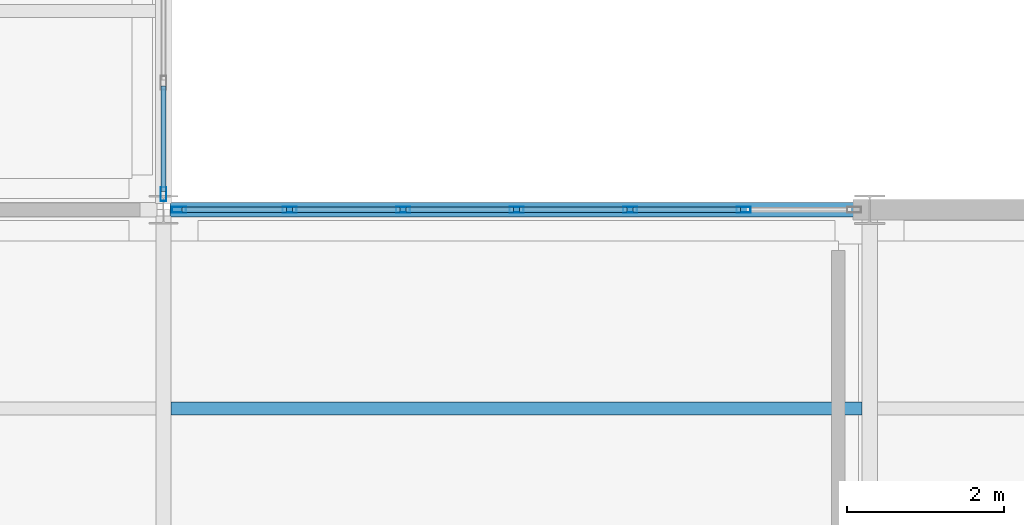
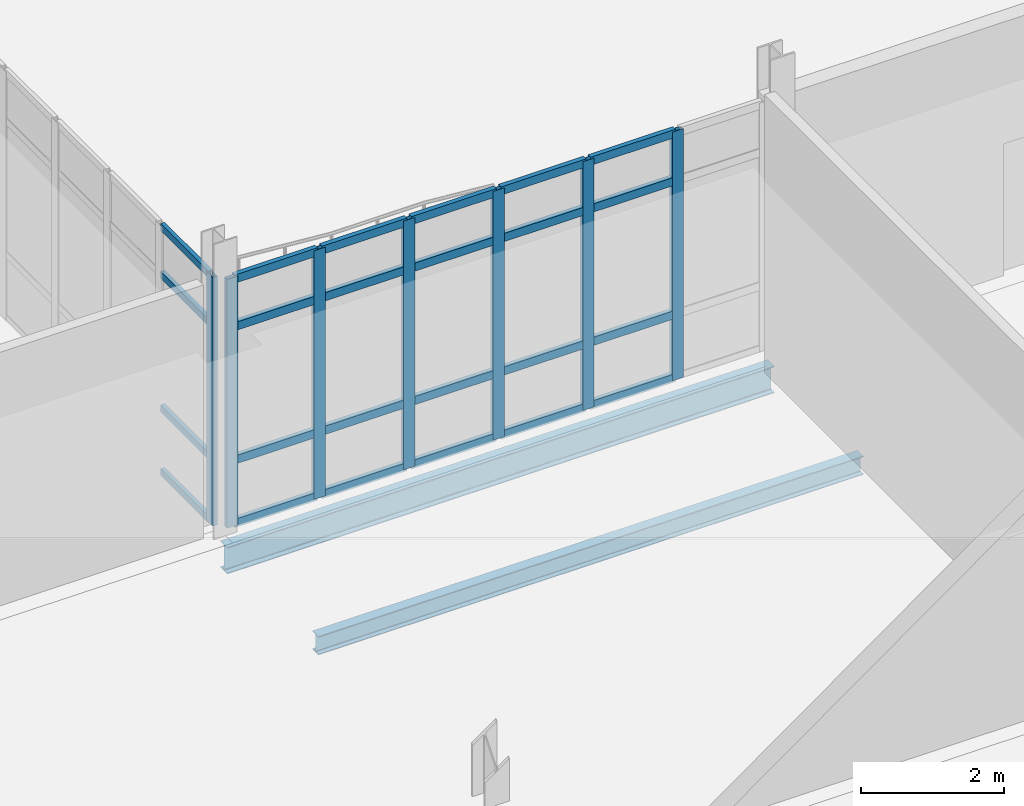
# One storey, part 55 of 161: 31 members, 2 beams, 2 elements without a shape of their own.
"""IFC4 building model written with IfcOpenShell, lengths in metres."""

from ifc_helpers import new_model, si_unit, direction, frame, origin, origin_2d, place, context, subcontext, project, spatial, hollow_rectangle, i_section, extrude, material, material_profile, profile_set, type_object, element, aggregate, save


model = new_model("IFC4")

# Units and contexts
model_context = context("Model", 3, precision=1e-05, world=origin(), true_north=direction((0.0, 1.0)))
body_context = subcontext(model_context, "Body", "Model", "MODEL_VIEW")
ifc_project = project(units=[si_unit("LENGTHUNIT", "METRE"), si_unit("AREAUNIT", "SQUARE_METRE"), si_unit("VOLUMEUNIT", "CUBIC_METRE"), si_unit("PLANEANGLEUNIT", "RADIAN"), si_unit("MASSUNIT", "GRAM", prefix="KILO")], contexts=[model_context])

# Site, building, storey
site_placement = place(None, origin())
site = spatial("IfcSite", under=ifc_project, at=site_placement, CompositionType="ELEMENT")
building_placement = place(site_placement, origin())
building = spatial("IfcBuilding", under=site, at=building_placement, Name="Caisbarro Railhouse Central Library", CompositionType="ELEMENT")
storey_placement = place(building_placement, origin())
storey = spatial("IfcBuildingStorey", under=building, at=storey_placement, Name="L00", CompositionType="ELEMENT", Elevation=0.0)

# Beams
ifc_material_1 = material(Name="Steel ASTM A572 Grade 50", Category="steel")
ifc_material_profile_1 = material_profile(ifc_material_1, i_section(OverallWidth=0.1669921875, OverallDepth=0.31689453125, WebThickness=0.007568359375, FlangeThickness=0.01318359375, FilletRadius=0.011962890625, at=origin_2d()), Name="W310X52.0")
ifc_profile_set_1 = profile_set([ifc_material_profile_1], Name="Steel ASTM A572 Grade 50")
beam_type_1 = type_object("IfcBeamType", Name="BM-J02", PredefinedType="JOIST", material=ifc_profile_set_1)
beam_1_placement = place(storey_placement, frame((72.096923828125, 27.86669921875, -0.4384765625), z_axis=(1.0, 0.0, 0.0), x_axis=(0.0, 1.0, 0.0)))
element("IfcBeam", 1, at=beam_1_placement, inside=storey, type_object=beam_type_1, Name="J02 beam L00 #224", PredefinedType="JOIST", context=body_context, shape_type="SweptSolid", body=[
    extrude(i_section(OverallWidth=0.1669921875, OverallDepth=0.31689453125, WebThickness=0.007568359375, FlangeThickness=0.01318359375, FilletRadius=0.011962890625, at=origin_2d()), origin(), (0.0, 0.0, 1.0), 8.80615234375),
])
ifc_material_profile_2 = material_profile(ifc_material_1, i_section(OverallWidth=0.18994140625, OverallDepth=0.45703125, WebThickness=0.009033203125, FlangeThickness=0.014404296875, FilletRadius=0.01806640625, at=origin_2d()), Name="W460X74.0")
ifc_profile_set_2 = profile_set([ifc_material_profile_2], Name="Steel ASTM A572 Grade 50")
beam_type_2 = type_object("IfcBeamType", Name="BM-SP01", PredefinedType="SPANDREL", material=ifc_profile_set_2)
beam_2_placement = place(storey_placement, frame((72.080078125, 30.39990234375, -0.508544921875), z_axis=(1.0, 0.0, 0.0), x_axis=(0.0, 1.0, 0.0)))
element("IfcBeam", 2, at=beam_2_placement, inside=storey, type_object=beam_type_2, Name="SP01 beam L00 #176", PredefinedType="SPANDREL", context=body_context, shape_type="SweptSolid", body=[
    extrude(i_section(OverallWidth=0.18994140625, OverallDepth=0.45703125, WebThickness=0.009033203125, FlangeThickness=0.014404296875, FilletRadius=0.01806640625, at=origin_2d()), origin(), (0.0, 0.0, 1.0), 8.83984375),
])

# Curtain wall, member
ifc_material_2 = material(Name="Anodised architectural aluminium", Category="aluminium")
curtain_wall_type_1 = type_object("IfcCurtainWallType", Name="CW-CW01", PredefinedType="NOTDEFINED", material=ifc_material_2)
curtain_wall_1_placement = place(storey_placement, origin())
curtain_wall_1 = element("IfcCurtainWall", 3, at=curtain_wall_1_placement, inside=storey, type_object=curtain_wall_type_1, Name="CW01 curtain wall L00 #23", PredefinedType="NOTDEFINED")
ifc_material_profile_3 = material_profile(ifc_material_2, hollow_rectangle(XDim=0.074951171875, YDim=0.179931640625, WallThickness=0.00439453125, at=origin_2d()), Name="ALU-MUL-75X180")
ifc_profile_set_3 = profile_set([ifc_material_profile_3], Name="Anodised architectural aluminium")
member_type_1 = type_object("IfcMemberType", Name="CWM-M01", PredefinedType="MULLION", material=ifc_profile_set_3)
member_1_placement = place(storey_placement, frame((72.0, 30.597412109375, 0.0), z_axis=(0.0, 0.0, 1.0), x_axis=(-1.0, 0.0, 0.0)))
member_1 = element("IfcMember", 4, at=member_1_placement, type_object=member_type_1, Name="CW01 mullion 1", PredefinedType="MULLION", context=body_context, shape_type="SweptSolid", body=[
    extrude(hollow_rectangle(XDim=0.074951171875, YDim=0.179931640625, WallThickness=0.00439453125, at=origin_2d()), origin(), (0.0, 0.0, 1.0), 4.25),
])

# Curtain wall, members
curtain_wall_type_2 = type_object("IfcCurtainWallType", Name="CW-CW02", PredefinedType="NOTDEFINED", material=ifc_material_2)
curtain_wall_2_placement = place(storey_placement, origin())
curtain_wall_2 = element("IfcCurtainWall", 5, at=curtain_wall_2_placement, inside=storey, type_object=curtain_wall_type_2, Name="CW02 curtain wall L00 #51", PredefinedType="NOTDEFINED")
member_2_placement = place(storey_placement, frame((72.197509765625, 30.39990234375, 0.0), z_axis=(0.0, 0.0, 1.0), x_axis=(0.0, 1.0, 0.0)))
member_2 = element("IfcMember", 6, at=member_2_placement, type_object=member_type_1, Name="CW02 mullion 1", PredefinedType="MULLION", context=body_context, shape_type="SweptSolid", body=[
    extrude(hollow_rectangle(XDim=0.074951171875, YDim=0.179931640625, WallThickness=0.00439453125, at=origin_2d()), origin(), (0.0, 0.0, 1.0), 4.25),
])
member_3_placement = place(storey_placement, frame((73.606689453125, 30.39990234375, 0.0), z_axis=(0.0, 0.0, 1.0), x_axis=(0.0, 1.0, 0.0)))
member_3 = element("IfcMember", 7, at=member_3_placement, type_object=member_type_1, Name="CW02 mullion 2", PredefinedType="MULLION", context=body_context, shape_type="SweptSolid", body=[
    extrude(hollow_rectangle(XDim=0.074951171875, YDim=0.179931640625, WallThickness=0.00439453125, at=origin_2d()), origin(), (0.0, 0.0, 1.0), 4.25),
])
member_4_placement = place(storey_placement, frame((75.05322265625, 30.39990234375, 0.0), z_axis=(0.0, 0.0, 1.0), x_axis=(0.0, 1.0, 0.0)))
member_4 = element("IfcMember", 8, at=member_4_placement, type_object=member_type_1, Name="CW02 mullion 3", PredefinedType="MULLION", context=body_context, shape_type="SweptSolid", body=[
    extrude(hollow_rectangle(XDim=0.074951171875, YDim=0.179931640625, WallThickness=0.00439453125, at=origin_2d()), origin(), (0.0, 0.0, 1.0), 4.25),
])
member_5_placement = place(storey_placement, frame((76.5, 30.39990234375, 0.0), z_axis=(0.0, 0.0, 1.0), x_axis=(0.0, 1.0, 0.0)))
member_5 = element("IfcMember", 9, at=member_5_placement, type_object=member_type_1, Name="CW02 mullion 4", PredefinedType="MULLION", context=body_context, shape_type="SweptSolid", body=[
    extrude(hollow_rectangle(XDim=0.074951171875, YDim=0.179931640625, WallThickness=0.00439453125, at=origin_2d()), origin(), (0.0, 0.0, 1.0), 4.25),
])
member_6_placement = place(storey_placement, frame((77.94677734375, 30.39990234375, 0.0), z_axis=(0.0, 0.0, 1.0), x_axis=(0.0, 1.0, 0.0)))
member_6 = element("IfcMember", 10, at=member_6_placement, type_object=member_type_1, Name="CW02 mullion 5", PredefinedType="MULLION", context=body_context, shape_type="SweptSolid", body=[
    extrude(hollow_rectangle(XDim=0.074951171875, YDim=0.179931640625, WallThickness=0.00439453125, at=origin_2d()), origin(), (0.0, 0.0, 1.0), 4.25),
])
member_7_placement = place(storey_placement, frame((79.393310546875, 30.39990234375, 0.0), z_axis=(0.0, 0.0, 1.0), x_axis=(0.0, 1.0, 0.0)))
member_7 = element("IfcMember", 11, at=member_7_placement, type_object=member_type_1, Name="CW02 mullion 6", PredefinedType="MULLION", context=body_context, shape_type="SweptSolid", body=[
    extrude(hollow_rectangle(XDim=0.074951171875, YDim=0.179931640625, WallThickness=0.00439453125, at=origin_2d()), origin(), (0.0, 0.0, 1.0), 4.25),
])
ifc_material_profile_4 = material_profile(ifc_material_2, hollow_rectangle(XDim=0.074951171875, YDim=0.139892578125, WallThickness=0.00390625, at=origin_2d()), Name="ALU-TRN-75X140")
ifc_profile_set_4 = profile_set([ifc_material_profile_4], Name="Anodised architectural aluminium")
member_type_2 = type_object("IfcMemberType", Name="CWT-T01", PredefinedType="USERDEFINED", material=ifc_profile_set_4)
member_8_placement = place(storey_placement, frame((72.235107421875, 30.39990234375, 0.03759765625), z_axis=(1.0, 0.0, 0.0), x_axis=(0.0, 1.0, 0.0)))
member_8 = element("IfcMember", 12, at=member_8_placement, type_object=member_type_2, Name="CW02 transom 1.1", ObjectType="TRANSOM", PredefinedType="USERDEFINED", context=body_context, shape_type="SweptSolid", body=[
    extrude(hollow_rectangle(XDim=0.074951171875, YDim=0.139892578125, WallThickness=0.00390625, at=origin_2d()), origin(), (0.0, 0.0, 1.0), 1.333984375),
])
member_9_placement = place(storey_placement, frame((72.235107421875, 30.39990234375, 1.1201171875), z_axis=(1.0, 0.0, 0.0), x_axis=(0.0, 1.0, 0.0)))
member_9 = element("IfcMember", 13, at=member_9_placement, type_object=member_type_2, Name="CW02 transom 1.2", ObjectType="TRANSOM", PredefinedType="USERDEFINED", context=body_context, shape_type="SweptSolid", body=[
    extrude(hollow_rectangle(XDim=0.074951171875, YDim=0.139892578125, WallThickness=0.00390625, at=origin_2d()), origin(), (0.0, 0.0, 1.0), 1.333984375),
])
member_10_placement = place(storey_placement, frame((72.235107421875, 30.39990234375, 3.39990234375), z_axis=(1.0, 0.0, 0.0), x_axis=(0.0, 1.0, 0.0)))
member_10 = element("IfcMember", 14, at=member_10_placement, type_object=member_type_2, Name="CW02 transom 1.3", ObjectType="TRANSOM", PredefinedType="USERDEFINED", context=body_context, shape_type="SweptSolid", body=[
    extrude(hollow_rectangle(XDim=0.074951171875, YDim=0.139892578125, WallThickness=0.00390625, at=origin_2d()), origin(), (0.0, 0.0, 1.0), 1.333984375),
])
member_11_placement = place(storey_placement, frame((72.235107421875, 30.39990234375, 4.21240234375), z_axis=(1.0, 0.0, 0.0), x_axis=(0.0, 1.0, 0.0)))
member_11 = element("IfcMember", 15, at=member_11_placement, type_object=member_type_2, Name="CW02 transom 1.4", ObjectType="TRANSOM", PredefinedType="USERDEFINED", context=body_context, shape_type="SweptSolid", body=[
    extrude(hollow_rectangle(XDim=0.074951171875, YDim=0.139892578125, WallThickness=0.00390625, at=origin_2d()), origin(), (0.0, 0.0, 1.0), 1.333984375),
])
member_12_placement = place(storey_placement, frame((73.644287109375, 30.39990234375, 0.03759765625), z_axis=(1.0, 0.0, 0.0), x_axis=(0.0, 1.0, 0.0)))
member_12 = element("IfcMember", 16, at=member_12_placement, type_object=member_type_2, Name="CW02 transom 2.1", ObjectType="TRANSOM", PredefinedType="USERDEFINED", context=body_context, shape_type="SweptSolid", body=[
    extrude(hollow_rectangle(XDim=0.074951171875, YDim=0.139892578125, WallThickness=0.00390625, at=origin_2d()), origin(), (0.0, 0.0, 1.0), 1.37158203125),
])
member_13_placement = place(storey_placement, frame((73.644287109375, 30.39990234375, 1.1201171875), z_axis=(1.0, 0.0, 0.0), x_axis=(0.0, 1.0, 0.0)))
member_13 = element("IfcMember", 17, at=member_13_placement, type_object=member_type_2, Name="CW02 transom 2.2", ObjectType="TRANSOM", PredefinedType="USERDEFINED", context=body_context, shape_type="SweptSolid", body=[
    extrude(hollow_rectangle(XDim=0.074951171875, YDim=0.139892578125, WallThickness=0.00390625, at=origin_2d()), origin(), (0.0, 0.0, 1.0), 1.37158203125),
])
member_14_placement = place(storey_placement, frame((73.644287109375, 30.39990234375, 3.39990234375), z_axis=(1.0, 0.0, 0.0), x_axis=(0.0, 1.0, 0.0)))
member_14 = element("IfcMember", 18, at=member_14_placement, type_object=member_type_2, Name="CW02 transom 2.3", ObjectType="TRANSOM", PredefinedType="USERDEFINED", context=body_context, shape_type="SweptSolid", body=[
    extrude(hollow_rectangle(XDim=0.074951171875, YDim=0.139892578125, WallThickness=0.00390625, at=origin_2d()), origin(), (0.0, 0.0, 1.0), 1.37158203125),
])
member_15_placement = place(storey_placement, frame((73.644287109375, 30.39990234375, 4.21240234375), z_axis=(1.0, 0.0, 0.0), x_axis=(0.0, 1.0, 0.0)))
member_15 = element("IfcMember", 19, at=member_15_placement, type_object=member_type_2, Name="CW02 transom 2.4", ObjectType="TRANSOM", PredefinedType="USERDEFINED", context=body_context, shape_type="SweptSolid", body=[
    extrude(hollow_rectangle(XDim=0.074951171875, YDim=0.139892578125, WallThickness=0.00390625, at=origin_2d()), origin(), (0.0, 0.0, 1.0), 1.37158203125),
])
member_16_placement = place(storey_placement, frame((75.0908203125, 30.39990234375, 0.03759765625), z_axis=(1.0, 0.0, 0.0), x_axis=(0.0, 1.0, 0.0)))
member_16 = element("IfcMember", 20, at=member_16_placement, type_object=member_type_2, Name="CW02 transom 3.1", ObjectType="TRANSOM", PredefinedType="USERDEFINED", context=body_context, shape_type="SweptSolid", body=[
    extrude(hollow_rectangle(XDim=0.074951171875, YDim=0.139892578125, WallThickness=0.00390625, at=origin_2d()), origin(), (0.0, 0.0, 1.0), 1.37158203125),
])
member_17_placement = place(storey_placement, frame((75.0908203125, 30.39990234375, 1.1201171875), z_axis=(1.0, 0.0, 0.0), x_axis=(0.0, 1.0, 0.0)))
member_17 = element("IfcMember", 21, at=member_17_placement, type_object=member_type_2, Name="CW02 transom 3.2", ObjectType="TRANSOM", PredefinedType="USERDEFINED", context=body_context, shape_type="SweptSolid", body=[
    extrude(hollow_rectangle(XDim=0.074951171875, YDim=0.139892578125, WallThickness=0.00390625, at=origin_2d()), origin(), (0.0, 0.0, 1.0), 1.37158203125),
])
member_18_placement = place(storey_placement, frame((75.0908203125, 30.39990234375, 3.39990234375), z_axis=(1.0, 0.0, 0.0), x_axis=(0.0, 1.0, 0.0)))
member_18 = element("IfcMember", 22, at=member_18_placement, type_object=member_type_2, Name="CW02 transom 3.3", ObjectType="TRANSOM", PredefinedType="USERDEFINED", context=body_context, shape_type="SweptSolid", body=[
    extrude(hollow_rectangle(XDim=0.074951171875, YDim=0.139892578125, WallThickness=0.00390625, at=origin_2d()), origin(), (0.0, 0.0, 1.0), 1.37158203125),
])
member_19_placement = place(storey_placement, frame((75.0908203125, 30.39990234375, 4.21240234375), z_axis=(1.0, 0.0, 0.0), x_axis=(0.0, 1.0, 0.0)))
member_19 = element("IfcMember", 23, at=member_19_placement, type_object=member_type_2, Name="CW02 transom 3.4", ObjectType="TRANSOM", PredefinedType="USERDEFINED", context=body_context, shape_type="SweptSolid", body=[
    extrude(hollow_rectangle(XDim=0.074951171875, YDim=0.139892578125, WallThickness=0.00390625, at=origin_2d()), origin(), (0.0, 0.0, 1.0), 1.37158203125),
])
member_20_placement = place(storey_placement, frame((76.53759765625, 30.39990234375, 0.03759765625), z_axis=(1.0, 0.0, 0.0), x_axis=(0.0, 1.0, 0.0)))
member_20 = element("IfcMember", 24, at=member_20_placement, type_object=member_type_2, Name="CW02 transom 4.1", ObjectType="TRANSOM", PredefinedType="USERDEFINED", context=body_context, shape_type="SweptSolid", body=[
    extrude(hollow_rectangle(XDim=0.074951171875, YDim=0.139892578125, WallThickness=0.00390625, at=origin_2d()), origin(), (0.0, 0.0, 1.0), 1.37158203125),
])
member_21_placement = place(storey_placement, frame((76.53759765625, 30.39990234375, 1.1201171875), z_axis=(1.0, 0.0, 0.0), x_axis=(0.0, 1.0, 0.0)))
member_21 = element("IfcMember", 25, at=member_21_placement, type_object=member_type_2, Name="CW02 transom 4.2", ObjectType="TRANSOM", PredefinedType="USERDEFINED", context=body_context, shape_type="SweptSolid", body=[
    extrude(hollow_rectangle(XDim=0.074951171875, YDim=0.139892578125, WallThickness=0.00390625, at=origin_2d()), origin(), (0.0, 0.0, 1.0), 1.37158203125),
])
member_22_placement = place(storey_placement, frame((76.53759765625, 30.39990234375, 3.39990234375), z_axis=(1.0, 0.0, 0.0), x_axis=(0.0, 1.0, 0.0)))
member_22 = element("IfcMember", 26, at=member_22_placement, type_object=member_type_2, Name="CW02 transom 4.3", ObjectType="TRANSOM", PredefinedType="USERDEFINED", context=body_context, shape_type="SweptSolid", body=[
    extrude(hollow_rectangle(XDim=0.074951171875, YDim=0.139892578125, WallThickness=0.00390625, at=origin_2d()), origin(), (0.0, 0.0, 1.0), 1.37158203125),
])
member_23_placement = place(storey_placement, frame((76.53759765625, 30.39990234375, 4.21240234375), z_axis=(1.0, 0.0, 0.0), x_axis=(0.0, 1.0, 0.0)))
member_23 = element("IfcMember", 27, at=member_23_placement, type_object=member_type_2, Name="CW02 transom 4.4", ObjectType="TRANSOM", PredefinedType="USERDEFINED", context=body_context, shape_type="SweptSolid", body=[
    extrude(hollow_rectangle(XDim=0.074951171875, YDim=0.139892578125, WallThickness=0.00390625, at=origin_2d()), origin(), (0.0, 0.0, 1.0), 1.37158203125),
])
member_24_placement = place(storey_placement, frame((77.984130859375, 30.39990234375, 0.03759765625), z_axis=(1.0, 0.0, 0.0), x_axis=(0.0, 1.0, 0.0)))
member_24 = element("IfcMember", 28, at=member_24_placement, type_object=member_type_2, Name="CW02 transom 5.1", ObjectType="TRANSOM", PredefinedType="USERDEFINED", context=body_context, shape_type="SweptSolid", body=[
    extrude(hollow_rectangle(XDim=0.074951171875, YDim=0.139892578125, WallThickness=0.00390625, at=origin_2d()), origin(), (0.0, 0.0, 1.0), 1.37158203125),
])
member_25_placement = place(storey_placement, frame((77.984130859375, 30.39990234375, 1.1201171875), z_axis=(1.0, 0.0, 0.0), x_axis=(0.0, 1.0, 0.0)))
member_25 = element("IfcMember", 29, at=member_25_placement, type_object=member_type_2, Name="CW02 transom 5.2", ObjectType="TRANSOM", PredefinedType="USERDEFINED", context=body_context, shape_type="SweptSolid", body=[
    extrude(hollow_rectangle(XDim=0.074951171875, YDim=0.139892578125, WallThickness=0.00390625, at=origin_2d()), origin(), (0.0, 0.0, 1.0), 1.37158203125),
])
member_26_placement = place(storey_placement, frame((77.984130859375, 30.39990234375, 3.39990234375), z_axis=(1.0, 0.0, 0.0), x_axis=(0.0, 1.0, 0.0)))
member_26 = element("IfcMember", 30, at=member_26_placement, type_object=member_type_2, Name="CW02 transom 5.3", ObjectType="TRANSOM", PredefinedType="USERDEFINED", context=body_context, shape_type="SweptSolid", body=[
    extrude(hollow_rectangle(XDim=0.074951171875, YDim=0.139892578125, WallThickness=0.00390625, at=origin_2d()), origin(), (0.0, 0.0, 1.0), 1.37158203125),
])
member_27_placement = place(storey_placement, frame((77.984130859375, 30.39990234375, 4.21240234375), z_axis=(1.0, 0.0, 0.0), x_axis=(0.0, 1.0, 0.0)))
member_27 = element("IfcMember", 31, at=member_27_placement, type_object=member_type_2, Name="CW02 transom 5.4", ObjectType="TRANSOM", PredefinedType="USERDEFINED", context=body_context, shape_type="SweptSolid", body=[
    extrude(hollow_rectangle(XDim=0.074951171875, YDim=0.139892578125, WallThickness=0.00390625, at=origin_2d()), origin(), (0.0, 0.0, 1.0), 1.37158203125),
])
aggregate(curtain_wall_2, [member_2, member_3, member_4, member_5, member_6, member_7, member_8, member_9, member_10, member_11, member_12, member_13, member_14, member_15, member_16, member_17, member_18, member_19, member_20, member_21, member_22, member_23, member_24, member_25, member_26, member_27])

# Member
ifc_material_profile_5 = material_profile(ifc_material_2, hollow_rectangle(XDim=0.06494140625, YDim=0.1201171875, WallThickness=0.00341796875, at=origin_2d()), Name="ALU-TRN-65X120")
ifc_profile_set_5 = profile_set([ifc_material_profile_5], Name="Anodised architectural aluminium")
member_type_3 = type_object("IfcMemberType", Name="CWT-T02", PredefinedType="USERDEFINED", material=ifc_profile_set_5)
member_28_placement = place(storey_placement, frame((72.0, 30.635009765625, 0.032470703125), z_axis=(0.0, 1.0, 0.0), x_axis=(-1.0, 0.0, 0.0)))
member_28 = element("IfcMember", 32, at=member_28_placement, type_object=member_type_3, Name="CW01 transom 1.1", ObjectType="TRANSOM", PredefinedType="USERDEFINED", context=body_context, shape_type="SweptSolid", body=[
    extrude(hollow_rectangle(XDim=0.06494140625, YDim=0.1201171875, WallThickness=0.00341796875, at=origin_2d()), origin(), (0.0, 0.0, 1.0), 1.343505859375),
])

member_29_placement = place(storey_placement, frame((72.0, 30.635009765625, 1.1201171875), z_axis=(0.0, 1.0, 0.0), x_axis=(-1.0, 0.0, 0.0)))
member_29 = element("IfcMember", 33, at=member_29_placement, type_object=member_type_3, Name="CW01 transom 1.2", ObjectType="TRANSOM", PredefinedType="USERDEFINED", context=body_context, shape_type="SweptSolid", body=[
    extrude(hollow_rectangle(XDim=0.06494140625, YDim=0.1201171875, WallThickness=0.00341796875, at=origin_2d()), origin(), (0.0, 0.0, 1.0), 1.343505859375),
])

member_30_placement = place(storey_placement, frame((72.0, 30.635009765625, 3.39990234375), z_axis=(0.0, 1.0, 0.0), x_axis=(-1.0, 0.0, 0.0)))
member_30 = element("IfcMember", 34, at=member_30_placement, type_object=member_type_3, Name="CW01 transom 1.3", ObjectType="TRANSOM", PredefinedType="USERDEFINED", context=body_context, shape_type="SweptSolid", body=[
    extrude(hollow_rectangle(XDim=0.06494140625, YDim=0.1201171875, WallThickness=0.00341796875, at=origin_2d()), origin(), (0.0, 0.0, 1.0), 1.343505859375),
])

member_31_placement = place(storey_placement, frame((72.0, 30.635009765625, 4.217529296875), z_axis=(0.0, 1.0, 0.0), x_axis=(-1.0, 0.0, 0.0)))
member_31 = element("IfcMember", 35, at=member_31_placement, type_object=member_type_3, Name="CW01 transom 1.4", ObjectType="TRANSOM", PredefinedType="USERDEFINED", context=body_context, shape_type="SweptSolid", body=[
    extrude(hollow_rectangle(XDim=0.06494140625, YDim=0.1201171875, WallThickness=0.00341796875, at=origin_2d()), origin(), (0.0, 0.0, 1.0), 1.343505859375),
])

aggregate(curtain_wall_1, [member_1, member_28, member_29, member_30, member_31])

save(model, "model.ifc")
